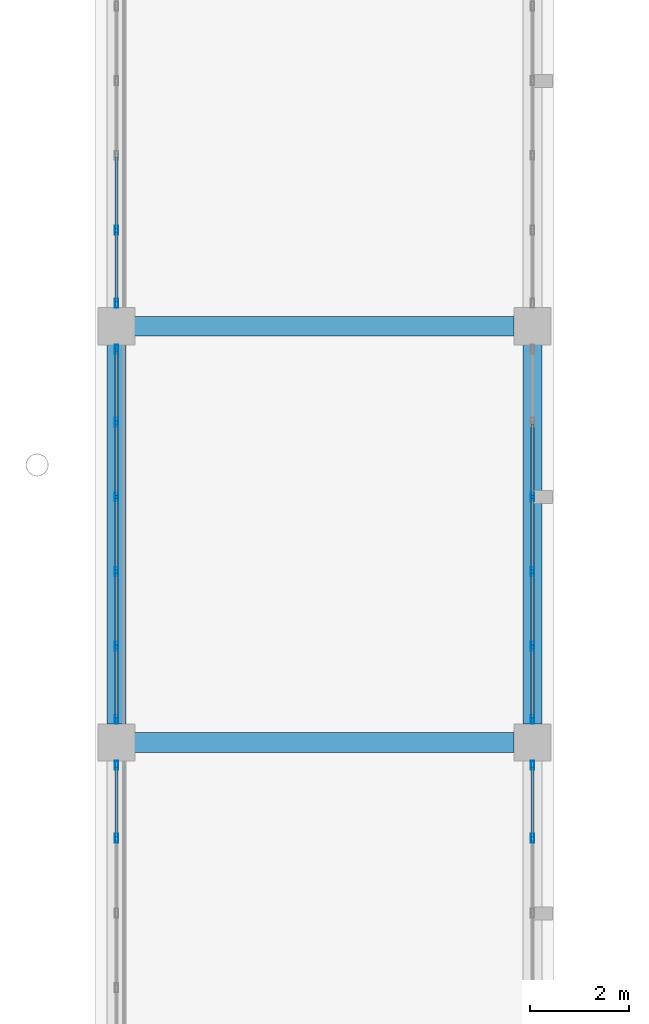
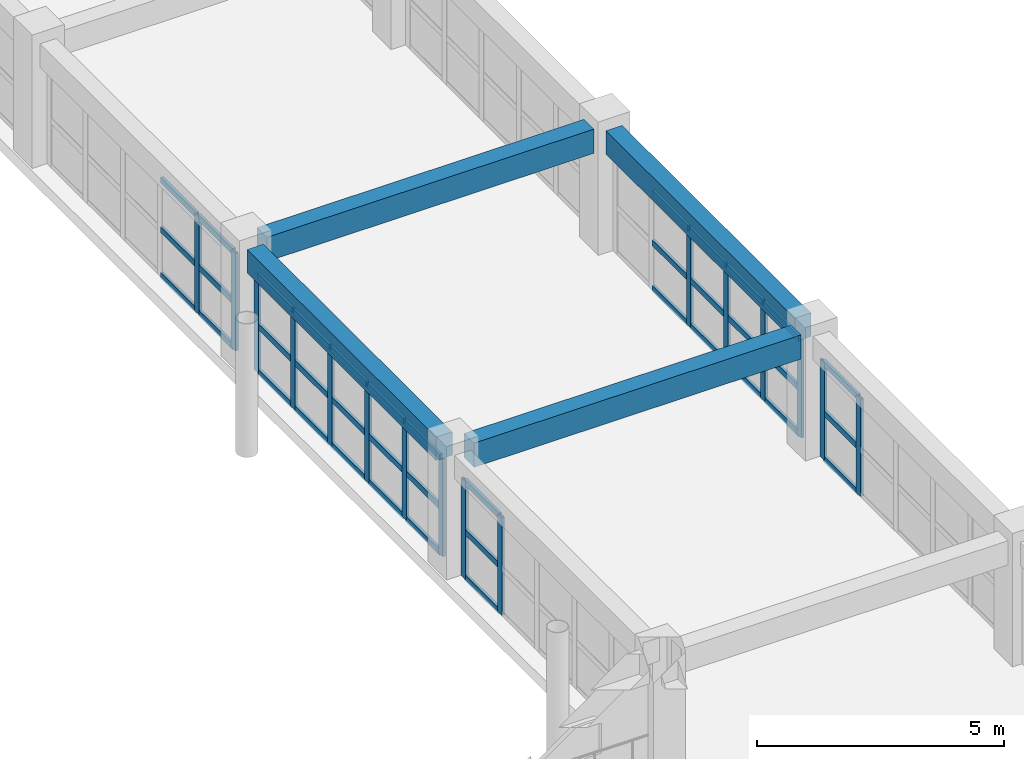
# One storey, part 137 of 200: 55 members, 4 beams, 5 elements without a shape of their own.
"""IFC4 building model written with IfcOpenShell, lengths in metres."""

from ifc_helpers import new_model, si_unit, direction, frame, origin, origin_2d, place, context, subcontext, project, spatial, rectangle, hollow_rectangle, extrude, material, layer, layer_set, material_profile, profile_set, type_object, element, aggregate, save


model = new_model("IFC4")

# Units and contexts
model_context = context("Model", 3, precision=1e-05, world=origin(), true_north=direction((0.0, 1.0)))
body_context = subcontext(model_context, "Body", "Model", "MODEL_VIEW")
ifc_project = project(units=[si_unit("LENGTHUNIT", "METRE"), si_unit("AREAUNIT", "SQUARE_METRE"), si_unit("VOLUMEUNIT", "CUBIC_METRE"), si_unit("PLANEANGLEUNIT", "RADIAN"), si_unit("MASSUNIT", "GRAM", prefix="KILO")], contexts=[model_context])

# Site, building, storey
site_placement = place(None, origin())
site = spatial("IfcSite", under=ifc_project, at=site_placement, CompositionType="ELEMENT")
building_placement = place(site_placement, origin())
building = spatial("IfcBuilding", under=site, at=building_placement, Name="Trelvath General Hospital", CompositionType="ELEMENT")
storey_placement = place(building_placement, frame((0.0, 0.0, 4.800048828125)))
storey = spatial("IfcBuildingStorey", under=building, at=storey_placement, Name="L01", CompositionType="ELEMENT", Elevation=4.800048828125)

# Beams
ifc_material_1 = material(Name="Concrete C35/45", Category="concrete")
ifc_material_profile_1 = material_profile(ifc_material_1, rectangle(XDim=0.3798828125, YDim=0.580078125, at=origin_2d()), Name="RCB380x580")
ifc_profile_set_1 = profile_set([ifc_material_profile_1], Name="Concrete C35/45")
beam_type_1 = type_object("IfcBeamType", Name="Beam RC380x580", PredefinedType="BEAM", material=ifc_profile_set_1)
for number, where, z_axis, x_axis, name in (
    (1, (176.39990234375, 33.969970703125, 2.72998046875), (0.0, 1.0, 0.0), (-1.0, 0.0, 0.0), "Grid Beam BY-121E"),
    (2, (184.800048828125, 33.969970703125, 2.72998046875), (0.0, 1.0, 0.0), (-1.0, 0.0, 0.0), "Grid Beam BY-122E"),
):
    element("IfcBeam", number, at=place(storey_placement, frame(where, z_axis=z_axis, x_axis=x_axis)), inside=storey, type_object=beam_type_1, Name=name, PredefinedType="BEAM", context=body_context, shape_type="SweptSolid", body=[
        extrude(rectangle(XDim=0.3798828125, YDim=0.580078125, at=origin_2d()), origin(), (0.0, 0.0, 1.0), 7.659912109375),
    ])
ifc_material_2 = material(Name="Concrete C35/45", Category="concrete")
ifc_material_profile_2 = material_profile(ifc_material_2, rectangle(XDim=0.39990234375, YDim=0.60009765625, at=origin_2d()), Name="RCB400x600")
ifc_profile_set_2 = profile_set([ifc_material_profile_2], Name="Concrete C35/45")
beam_type_2 = type_object("IfcBeamType", Name="Beam RC400x600", PredefinedType="BEAM", material=ifc_profile_set_2)
for number, where, z_axis, x_axis, name in (
    (3, (176.77001953125, 33.60009765625, 2.719970703125), (1.0, 0.0, 0.0), (0.0, 1.0, 0.0), "Grid Beam BX-121E"),
    (4, (176.77001953125, 42.0, 2.719970703125), (1.0, 0.0, 0.0), (0.0, 1.0, 0.0), "Grid Beam BX-121F"),
):
    element("IfcBeam", number, at=place(storey_placement, frame(where, z_axis=z_axis, x_axis=x_axis)), inside=storey, type_object=beam_type_2, Name=name, PredefinedType="BEAM", context=body_context, shape_type="SweptSolid", body=[
        extrude(rectangle(XDim=0.39990234375, YDim=0.60009765625, at=origin_2d()), origin(), (0.0, 0.0, 1.0), 7.659912109375),
    ])

# Curtain wall, members
ifc_material_3 = material(Name="Anodised aluminium and low-E glass", Category="aluminium")
ifc_layer = layer(ifc_material_3, 0.179931640625)
ifc_layer_set = layer_set([ifc_layer], Name="Anodised aluminium and low-E glass")
curtain_wall_type = type_object("IfcCurtainWallType", Name="CW Facade 754 242 18", PredefinedType="USERDEFINED", material=ifc_layer_set)
curtain_wall_1_placement = place(storey_placement, origin())
curtain_wall_1 = element("IfcCurtainWall", 5, at=curtain_wall_1_placement, inside=storey, type_object=curtain_wall_type, Name="Facade Curtain Wall CW-030", ObjectType="Unitised Glazed Curtain Wall", PredefinedType="USERDEFINED")
ifc_material_4 = material(Name="Anodised aluminium", Category="aluminium")
ifc_material_profile_3 = material_profile(ifc_material_4, hollow_rectangle(XDim=0.06494140625, YDim=0.179931640625, WallThickness=0.0048828125, at=origin_2d()), Name="RHS65x180x5")
ifc_profile_set_3 = profile_set([ifc_material_profile_3], Name="Anodised aluminium")
member_type_1 = type_object("IfcMemberType", Name="CurtainMullion 65x180", PredefinedType="MULLION", material=ifc_profile_set_3)
member_1_placement = place(storey_placement, frame((176.39990234375, 31.662109375, 0.0), z_axis=(0.0, 0.0, 1.0), x_axis=(-1.0, 0.0, 0.0)))
member_1 = element("IfcMember", 6, at=member_1_placement, type_object=member_type_1, Name="CW-030 mullion 5", PredefinedType="MULLION", context=body_context, shape_type="SweptSolid", body=[
    extrude(hollow_rectangle(XDim=0.06494140625, YDim=0.179931640625, WallThickness=0.0048828125, at=origin_2d()), origin(), (0.0, 0.0, 1.0), 2.419921875),
])
member_2_placement = place(storey_placement, frame((176.39990234375, 33.137451171875, 0.0), z_axis=(0.0, 0.0, 1.0), x_axis=(-1.0, 0.0, 0.0)))
member_2 = element("IfcMember", 7, at=member_2_placement, type_object=member_type_1, Name="CW-030 mullion 6", PredefinedType="MULLION", context=body_context, shape_type="SweptSolid", body=[
    extrude(hollow_rectangle(XDim=0.06494140625, YDim=0.179931640625, WallThickness=0.0048828125, at=origin_2d()), origin(), (0.0, 0.0, 1.0), 2.419921875),
])

curtain_wall_2_placement = place(storey_placement, origin())
curtain_wall_2 = element("IfcCurtainWall", 8, at=curtain_wall_2_placement, inside=storey, type_object=curtain_wall_type, Name="Facade Curtain Wall CW-031", ObjectType="Unitised Glazed Curtain Wall", PredefinedType="USERDEFINED")
member_3_placement = place(storey_placement, frame((184.800048828125, 33.137451171875, 0.0), z_axis=(0.0, 0.0, 1.0), x_axis=(1.0, 0.0, 0.0)))
member_3 = element("IfcMember", 9, at=member_3_placement, type_object=member_type_1, Name="CW-031 mullion 1", PredefinedType="MULLION", context=body_context, shape_type="SweptSolid", body=[
    extrude(hollow_rectangle(XDim=0.06494140625, YDim=0.179931640625, WallThickness=0.0048828125, at=origin_2d()), origin(), (0.0, 0.0, 1.0), 2.419921875),
])
member_4_placement = place(storey_placement, frame((184.800048828125, 31.662109375, 0.0), z_axis=(0.0, 0.0, 1.0), x_axis=(1.0, 0.0, 0.0)))
member_4 = element("IfcMember", 10, at=member_4_placement, type_object=member_type_1, Name="CW-031 mullion 2", PredefinedType="MULLION", context=body_context, shape_type="SweptSolid", body=[
    extrude(hollow_rectangle(XDim=0.06494140625, YDim=0.179931640625, WallThickness=0.0048828125, at=origin_2d()), origin(), (0.0, 0.0, 1.0), 2.419921875),
])

curtain_wall_3_placement = place(storey_placement, origin())
curtain_wall_3 = element("IfcCurtainWall", 11, at=curtain_wall_3_placement, inside=storey, type_object=curtain_wall_type, Name="Facade Curtain Wall CW-032", ObjectType="Unitised Glazed Curtain Wall", PredefinedType="USERDEFINED")
member_5_placement = place(storey_placement, frame((176.39990234375, 34.0625, 0.0), z_axis=(0.0, 0.0, 1.0), x_axis=(-1.0, 0.0, 0.0)))
member_5 = element("IfcMember", 12, at=member_5_placement, type_object=member_type_1, Name="CW-032 mullion 1", PredefinedType="MULLION", context=body_context, shape_type="SweptSolid", body=[
    extrude(hollow_rectangle(XDim=0.06494140625, YDim=0.179931640625, WallThickness=0.0048828125, at=origin_2d()), origin(), (0.0, 0.0, 1.0), 2.419921875),
])
member_6_placement = place(storey_placement, frame((176.39990234375, 35.5380859375, 0.0), z_axis=(0.0, 0.0, 1.0), x_axis=(-1.0, 0.0, 0.0)))
member_6 = element("IfcMember", 13, at=member_6_placement, type_object=member_type_1, Name="CW-032 mullion 2", PredefinedType="MULLION", context=body_context, shape_type="SweptSolid", body=[
    extrude(hollow_rectangle(XDim=0.06494140625, YDim=0.179931640625, WallThickness=0.0048828125, at=origin_2d()), origin(), (0.0, 0.0, 1.0), 2.419921875),
])
member_7_placement = place(storey_placement, frame((176.39990234375, 37.0458984375, 0.0), z_axis=(0.0, 0.0, 1.0), x_axis=(-1.0, 0.0, 0.0)))
member_7 = element("IfcMember", 14, at=member_7_placement, type_object=member_type_1, Name="CW-032 mullion 3", PredefinedType="MULLION", context=body_context, shape_type="SweptSolid", body=[
    extrude(hollow_rectangle(XDim=0.06494140625, YDim=0.179931640625, WallThickness=0.0048828125, at=origin_2d()), origin(), (0.0, 0.0, 1.0), 2.419921875),
])
member_8_placement = place(storey_placement, frame((176.39990234375, 38.553955078125, 0.0), z_axis=(0.0, 0.0, 1.0), x_axis=(-1.0, 0.0, 0.0)))
member_8 = element("IfcMember", 15, at=member_8_placement, type_object=member_type_1, Name="CW-032 mullion 4", PredefinedType="MULLION", context=body_context, shape_type="SweptSolid", body=[
    extrude(hollow_rectangle(XDim=0.06494140625, YDim=0.179931640625, WallThickness=0.0048828125, at=origin_2d()), origin(), (0.0, 0.0, 1.0), 2.419921875),
])
member_9_placement = place(storey_placement, frame((176.39990234375, 40.06201171875, 0.0), z_axis=(0.0, 0.0, 1.0), x_axis=(-1.0, 0.0, 0.0)))
member_9 = element("IfcMember", 16, at=member_9_placement, type_object=member_type_1, Name="CW-032 mullion 5", PredefinedType="MULLION", context=body_context, shape_type="SweptSolid", body=[
    extrude(hollow_rectangle(XDim=0.06494140625, YDim=0.179931640625, WallThickness=0.0048828125, at=origin_2d()), origin(), (0.0, 0.0, 1.0), 2.419921875),
])
member_10_placement = place(storey_placement, frame((176.39990234375, 41.53759765625, 0.0), z_axis=(0.0, 0.0, 1.0), x_axis=(-1.0, 0.0, 0.0)))
member_10 = element("IfcMember", 17, at=member_10_placement, type_object=member_type_1, Name="CW-032 mullion 6", PredefinedType="MULLION", context=body_context, shape_type="SweptSolid", body=[
    extrude(hollow_rectangle(XDim=0.06494140625, YDim=0.179931640625, WallThickness=0.0048828125, at=origin_2d()), origin(), (0.0, 0.0, 1.0), 2.419921875),
])

curtain_wall_4_placement = place(storey_placement, origin())
curtain_wall_4 = element("IfcCurtainWall", 18, at=curtain_wall_4_placement, inside=storey, type_object=curtain_wall_type, Name="Facade Curtain Wall CW-033", ObjectType="Unitised Glazed Curtain Wall", PredefinedType="USERDEFINED")
member_11_placement = place(storey_placement, frame((184.800048828125, 38.553955078125, 0.0), z_axis=(0.0, 0.0, 1.0), x_axis=(1.0, 0.0, 0.0)))
member_11 = element("IfcMember", 19, at=member_11_placement, type_object=member_type_1, Name="CW-033 mullion 3", PredefinedType="MULLION", context=body_context, shape_type="SweptSolid", body=[
    extrude(hollow_rectangle(XDim=0.06494140625, YDim=0.179931640625, WallThickness=0.0048828125, at=origin_2d()), origin(), (0.0, 0.0, 1.0), 2.419921875),
])
member_12_placement = place(storey_placement, frame((184.800048828125, 37.0458984375, 0.0), z_axis=(0.0, 0.0, 1.0), x_axis=(1.0, 0.0, 0.0)))
member_12 = element("IfcMember", 20, at=member_12_placement, type_object=member_type_1, Name="CW-033 mullion 4", PredefinedType="MULLION", context=body_context, shape_type="SweptSolid", body=[
    extrude(hollow_rectangle(XDim=0.06494140625, YDim=0.179931640625, WallThickness=0.0048828125, at=origin_2d()), origin(), (0.0, 0.0, 1.0), 2.419921875),
])
member_13_placement = place(storey_placement, frame((184.800048828125, 35.5380859375, 0.0), z_axis=(0.0, 0.0, 1.0), x_axis=(1.0, 0.0, 0.0)))
member_13 = element("IfcMember", 21, at=member_13_placement, type_object=member_type_1, Name="CW-033 mullion 5", PredefinedType="MULLION", context=body_context, shape_type="SweptSolid", body=[
    extrude(hollow_rectangle(XDim=0.06494140625, YDim=0.179931640625, WallThickness=0.0048828125, at=origin_2d()), origin(), (0.0, 0.0, 1.0), 2.419921875),
])
member_14_placement = place(storey_placement, frame((184.800048828125, 34.0625, 0.0), z_axis=(0.0, 0.0, 1.0), x_axis=(1.0, 0.0, 0.0)))
member_14 = element("IfcMember", 22, at=member_14_placement, type_object=member_type_1, Name="CW-033 mullion 6", PredefinedType="MULLION", context=body_context, shape_type="SweptSolid", body=[
    extrude(hollow_rectangle(XDim=0.06494140625, YDim=0.179931640625, WallThickness=0.0048828125, at=origin_2d()), origin(), (0.0, 0.0, 1.0), 2.419921875),
])

curtain_wall_5_placement = place(storey_placement, origin())
curtain_wall_5 = element("IfcCurtainWall", 23, at=curtain_wall_5_placement, inside=storey, type_object=curtain_wall_type, Name="Facade Curtain Wall CW-034", ObjectType="Unitised Glazed Curtain Wall", PredefinedType="USERDEFINED")
member_15_placement = place(storey_placement, frame((176.39990234375, 42.46240234375, 0.0), z_axis=(0.0, 0.0, 1.0), x_axis=(-1.0, 0.0, 0.0)))
member_15 = element("IfcMember", 24, at=member_15_placement, type_object=member_type_1, Name="CW-034 mullion 1", PredefinedType="MULLION", context=body_context, shape_type="SweptSolid", body=[
    extrude(hollow_rectangle(XDim=0.06494140625, YDim=0.179931640625, WallThickness=0.0048828125, at=origin_2d()), origin(), (0.0, 0.0, 1.0), 2.419921875),
])
member_16_placement = place(storey_placement, frame((176.39990234375, 43.93798828125, 0.0), z_axis=(0.0, 0.0, 1.0), x_axis=(-1.0, 0.0, 0.0)))
member_16 = element("IfcMember", 25, at=member_16_placement, type_object=member_type_1, Name="CW-034 mullion 2", PredefinedType="MULLION", context=body_context, shape_type="SweptSolid", body=[
    extrude(hollow_rectangle(XDim=0.06494140625, YDim=0.179931640625, WallThickness=0.0048828125, at=origin_2d()), origin(), (0.0, 0.0, 1.0), 2.419921875),
])

# Member
ifc_material_5 = material(Name="Anodised aluminium", Category="aluminium")
ifc_material_profile_4 = material_profile(ifc_material_5, hollow_rectangle(XDim=0.06494140625, YDim=0.14501953125, WallThickness=0.00390625, at=origin_2d()), Name="RHS65x145x4")
ifc_profile_set_4 = profile_set([ifc_material_profile_4], Name="Anodised aluminium")
member_type_2 = type_object("IfcMemberType", Name="CurtainTransom 65x145", PredefinedType="USERDEFINED", material=ifc_profile_set_4)
member_17_placement = place(storey_placement, frame((176.39990234375, 31.694580078125, 0.032470703125), z_axis=(0.0, 1.0, 0.0), x_axis=(-1.0, 0.0, 0.0)))
member_17 = element("IfcMember", 26, at=member_17_placement, type_object=member_type_2, Name="CW-030 transom 5.1", ObjectType="TRANSOM", PredefinedType="USERDEFINED", context=body_context, shape_type="SweptSolid", body=[
    extrude(hollow_rectangle(XDim=0.06494140625, YDim=0.14501953125, WallThickness=0.00390625, at=origin_2d()), origin(), (0.0, 0.0, 1.0), 1.410400390625),
])

member_18_placement = place(storey_placement, frame((176.39990234375, 31.694580078125, 1.161865234375), z_axis=(0.0, 1.0, 0.0), x_axis=(-1.0, 0.0, 0.0)))
member_18 = element("IfcMember", 27, at=member_18_placement, type_object=member_type_2, Name="CW-030 transom 5.2", ObjectType="TRANSOM", PredefinedType="USERDEFINED", context=body_context, shape_type="SweptSolid", body=[
    extrude(hollow_rectangle(XDim=0.06494140625, YDim=0.14501953125, WallThickness=0.00390625, at=origin_2d()), origin(), (0.0, 0.0, 1.0), 1.410400390625),
])

member_19_placement = place(storey_placement, frame((176.39990234375, 31.694580078125, 2.387451171875), z_axis=(0.0, 1.0, 0.0), x_axis=(-1.0, 0.0, 0.0)))
member_19 = element("IfcMember", 28, at=member_19_placement, type_object=member_type_2, Name="CW-030 transom 5.3", ObjectType="TRANSOM", PredefinedType="USERDEFINED", context=body_context, shape_type="SweptSolid", body=[
    extrude(hollow_rectangle(XDim=0.06494140625, YDim=0.14501953125, WallThickness=0.00390625, at=origin_2d()), origin(), (0.0, 0.0, 1.0), 1.410400390625),
])

aggregate(curtain_wall_1, [member_1, member_2, member_17, member_18, member_19])

member_20_placement = place(storey_placement, frame((184.800048828125, 33.10498046875, 0.032470703125), z_axis=(0.0, -1.0, 0.0), x_axis=(1.0, 0.0, 0.0)))
member_20 = element("IfcMember", 29, at=member_20_placement, type_object=member_type_2, Name="CW-031 transom 1.1", ObjectType="TRANSOM", PredefinedType="USERDEFINED", context=body_context, shape_type="SweptSolid", body=[
    extrude(hollow_rectangle(XDim=0.06494140625, YDim=0.14501953125, WallThickness=0.00390625, at=origin_2d()), origin(), (0.0, 0.0, 1.0), 1.410400390625),
])

member_21_placement = place(storey_placement, frame((184.800048828125, 33.10498046875, 1.161865234375), z_axis=(0.0, -1.0, 0.0), x_axis=(1.0, 0.0, 0.0)))
member_21 = element("IfcMember", 30, at=member_21_placement, type_object=member_type_2, Name="CW-031 transom 1.2", ObjectType="TRANSOM", PredefinedType="USERDEFINED", context=body_context, shape_type="SweptSolid", body=[
    extrude(hollow_rectangle(XDim=0.06494140625, YDim=0.14501953125, WallThickness=0.00390625, at=origin_2d()), origin(), (0.0, 0.0, 1.0), 1.410400390625),
])

member_22_placement = place(storey_placement, frame((184.800048828125, 33.10498046875, 2.387451171875), z_axis=(0.0, -1.0, 0.0), x_axis=(1.0, 0.0, 0.0)))
member_22 = element("IfcMember", 31, at=member_22_placement, type_object=member_type_2, Name="CW-031 transom 1.3", ObjectType="TRANSOM", PredefinedType="USERDEFINED", context=body_context, shape_type="SweptSolid", body=[
    extrude(hollow_rectangle(XDim=0.06494140625, YDim=0.14501953125, WallThickness=0.00390625, at=origin_2d()), origin(), (0.0, 0.0, 1.0), 1.410400390625),
])

aggregate(curtain_wall_2, [member_3, member_4, member_20, member_21, member_22])

member_23_placement = place(storey_placement, frame((176.39990234375, 34.094970703125, 0.032470703125), z_axis=(0.0, 1.0, 0.0), x_axis=(-1.0, 0.0, 0.0)))
member_23 = element("IfcMember", 32, at=member_23_placement, type_object=member_type_2, Name="CW-032 transom 1.1", ObjectType="TRANSOM", PredefinedType="USERDEFINED", context=body_context, shape_type="SweptSolid", body=[
    extrude(hollow_rectangle(XDim=0.06494140625, YDim=0.14501953125, WallThickness=0.00390625, at=origin_2d()), origin(), (0.0, 0.0, 1.0), 1.41064453125),
])

member_24_placement = place(storey_placement, frame((176.39990234375, 34.094970703125, 1.161865234375), z_axis=(0.0, 1.0, 0.0), x_axis=(-1.0, 0.0, 0.0)))
member_24 = element("IfcMember", 33, at=member_24_placement, type_object=member_type_2, Name="CW-032 transom 1.2", ObjectType="TRANSOM", PredefinedType="USERDEFINED", context=body_context, shape_type="SweptSolid", body=[
    extrude(hollow_rectangle(XDim=0.06494140625, YDim=0.14501953125, WallThickness=0.00390625, at=origin_2d()), origin(), (0.0, 0.0, 1.0), 1.41064453125),
])

member_25_placement = place(storey_placement, frame((176.39990234375, 34.094970703125, 2.387451171875), z_axis=(0.0, 1.0, 0.0), x_axis=(-1.0, 0.0, 0.0)))
member_25 = element("IfcMember", 34, at=member_25_placement, type_object=member_type_2, Name="CW-032 transom 1.3", ObjectType="TRANSOM", PredefinedType="USERDEFINED", context=body_context, shape_type="SweptSolid", body=[
    extrude(hollow_rectangle(XDim=0.06494140625, YDim=0.14501953125, WallThickness=0.00390625, at=origin_2d()), origin(), (0.0, 0.0, 1.0), 1.41064453125),
])

member_26_placement = place(storey_placement, frame((176.39990234375, 35.570556640625, 0.032470703125), z_axis=(0.0, 1.0, 0.0), x_axis=(-1.0, 0.0, 0.0)))
member_26 = element("IfcMember", 35, at=member_26_placement, type_object=member_type_2, Name="CW-032 transom 2.1", ObjectType="TRANSOM", PredefinedType="USERDEFINED", context=body_context, shape_type="SweptSolid", body=[
    extrude(hollow_rectangle(XDim=0.06494140625, YDim=0.14501953125, WallThickness=0.00390625, at=origin_2d()), origin(), (0.0, 0.0, 1.0), 1.44287109375),
])

member_27_placement = place(storey_placement, frame((176.39990234375, 35.570556640625, 1.161865234375), z_axis=(0.0, 1.0, 0.0), x_axis=(-1.0, 0.0, 0.0)))
member_27 = element("IfcMember", 36, at=member_27_placement, type_object=member_type_2, Name="CW-032 transom 2.2", ObjectType="TRANSOM", PredefinedType="USERDEFINED", context=body_context, shape_type="SweptSolid", body=[
    extrude(hollow_rectangle(XDim=0.06494140625, YDim=0.14501953125, WallThickness=0.00390625, at=origin_2d()), origin(), (0.0, 0.0, 1.0), 1.44287109375),
])

member_28_placement = place(storey_placement, frame((176.39990234375, 35.570556640625, 2.387451171875), z_axis=(0.0, 1.0, 0.0), x_axis=(-1.0, 0.0, 0.0)))
member_28 = element("IfcMember", 37, at=member_28_placement, type_object=member_type_2, Name="CW-032 transom 2.3", ObjectType="TRANSOM", PredefinedType="USERDEFINED", context=body_context, shape_type="SweptSolid", body=[
    extrude(hollow_rectangle(XDim=0.06494140625, YDim=0.14501953125, WallThickness=0.00390625, at=origin_2d()), origin(), (0.0, 0.0, 1.0), 1.44287109375),
])

member_29_placement = place(storey_placement, frame((176.39990234375, 37.07861328125, 0.032470703125), z_axis=(0.0, 1.0, 0.0), x_axis=(-1.0, 0.0, 0.0)))
member_29 = element("IfcMember", 38, at=member_29_placement, type_object=member_type_2, Name="CW-032 transom 3.1", ObjectType="TRANSOM", PredefinedType="USERDEFINED", context=body_context, shape_type="SweptSolid", body=[
    extrude(hollow_rectangle(XDim=0.06494140625, YDim=0.14501953125, WallThickness=0.00390625, at=origin_2d()), origin(), (0.0, 0.0, 1.0), 1.44287109375),
])

member_30_placement = place(storey_placement, frame((176.39990234375, 37.07861328125, 1.161865234375), z_axis=(0.0, 1.0, 0.0), x_axis=(-1.0, 0.0, 0.0)))
member_30 = element("IfcMember", 39, at=member_30_placement, type_object=member_type_2, Name="CW-032 transom 3.2", ObjectType="TRANSOM", PredefinedType="USERDEFINED", context=body_context, shape_type="SweptSolid", body=[
    extrude(hollow_rectangle(XDim=0.06494140625, YDim=0.14501953125, WallThickness=0.00390625, at=origin_2d()), origin(), (0.0, 0.0, 1.0), 1.44287109375),
])

member_31_placement = place(storey_placement, frame((176.39990234375, 37.07861328125, 2.387451171875), z_axis=(0.0, 1.0, 0.0), x_axis=(-1.0, 0.0, 0.0)))
member_31 = element("IfcMember", 40, at=member_31_placement, type_object=member_type_2, Name="CW-032 transom 3.3", ObjectType="TRANSOM", PredefinedType="USERDEFINED", context=body_context, shape_type="SweptSolid", body=[
    extrude(hollow_rectangle(XDim=0.06494140625, YDim=0.14501953125, WallThickness=0.00390625, at=origin_2d()), origin(), (0.0, 0.0, 1.0), 1.44287109375),
])

member_32_placement = place(storey_placement, frame((176.39990234375, 38.58642578125, 0.032470703125), z_axis=(0.0, 1.0, 0.0), x_axis=(-1.0, 0.0, 0.0)))
member_32 = element("IfcMember", 41, at=member_32_placement, type_object=member_type_2, Name="CW-032 transom 4.1", ObjectType="TRANSOM", PredefinedType="USERDEFINED", context=body_context, shape_type="SweptSolid", body=[
    extrude(hollow_rectangle(XDim=0.06494140625, YDim=0.14501953125, WallThickness=0.00390625, at=origin_2d()), origin(), (0.0, 0.0, 1.0), 1.443115234375),
])

member_33_placement = place(storey_placement, frame((176.39990234375, 38.58642578125, 1.161865234375), z_axis=(0.0, 1.0, 0.0), x_axis=(-1.0, 0.0, 0.0)))
member_33 = element("IfcMember", 42, at=member_33_placement, type_object=member_type_2, Name="CW-032 transom 4.2", ObjectType="TRANSOM", PredefinedType="USERDEFINED", context=body_context, shape_type="SweptSolid", body=[
    extrude(hollow_rectangle(XDim=0.06494140625, YDim=0.14501953125, WallThickness=0.00390625, at=origin_2d()), origin(), (0.0, 0.0, 1.0), 1.443115234375),
])

member_34_placement = place(storey_placement, frame((176.39990234375, 38.58642578125, 2.387451171875), z_axis=(0.0, 1.0, 0.0), x_axis=(-1.0, 0.0, 0.0)))
member_34 = element("IfcMember", 43, at=member_34_placement, type_object=member_type_2, Name="CW-032 transom 4.3", ObjectType="TRANSOM", PredefinedType="USERDEFINED", context=body_context, shape_type="SweptSolid", body=[
    extrude(hollow_rectangle(XDim=0.06494140625, YDim=0.14501953125, WallThickness=0.00390625, at=origin_2d()), origin(), (0.0, 0.0, 1.0), 1.443115234375),
])

member_35_placement = place(storey_placement, frame((176.39990234375, 40.094482421875, 0.032470703125), z_axis=(0.0, 1.0, 0.0), x_axis=(-1.0, 0.0, 0.0)))
member_35 = element("IfcMember", 44, at=member_35_placement, type_object=member_type_2, Name="CW-032 transom 5.1", ObjectType="TRANSOM", PredefinedType="USERDEFINED", context=body_context, shape_type="SweptSolid", body=[
    extrude(hollow_rectangle(XDim=0.06494140625, YDim=0.14501953125, WallThickness=0.00390625, at=origin_2d()), origin(), (0.0, 0.0, 1.0), 1.410400390625),
])

member_36_placement = place(storey_placement, frame((176.39990234375, 40.094482421875, 1.161865234375), z_axis=(0.0, 1.0, 0.0), x_axis=(-1.0, 0.0, 0.0)))
member_36 = element("IfcMember", 45, at=member_36_placement, type_object=member_type_2, Name="CW-032 transom 5.2", ObjectType="TRANSOM", PredefinedType="USERDEFINED", context=body_context, shape_type="SweptSolid", body=[
    extrude(hollow_rectangle(XDim=0.06494140625, YDim=0.14501953125, WallThickness=0.00390625, at=origin_2d()), origin(), (0.0, 0.0, 1.0), 1.410400390625),
])

member_37_placement = place(storey_placement, frame((176.39990234375, 40.094482421875, 2.387451171875), z_axis=(0.0, 1.0, 0.0), x_axis=(-1.0, 0.0, 0.0)))
member_37 = element("IfcMember", 46, at=member_37_placement, type_object=member_type_2, Name="CW-032 transom 5.3", ObjectType="TRANSOM", PredefinedType="USERDEFINED", context=body_context, shape_type="SweptSolid", body=[
    extrude(hollow_rectangle(XDim=0.06494140625, YDim=0.14501953125, WallThickness=0.00390625, at=origin_2d()), origin(), (0.0, 0.0, 1.0), 1.410400390625),
])

aggregate(curtain_wall_3, [member_5, member_6, member_7, member_8, member_9, member_10, member_23, member_24, member_25, member_26, member_27, member_28, member_29, member_30, member_31, member_32, member_33, member_34, member_35, member_36, member_37])

member_38_placement = place(storey_placement, frame((184.800048828125, 40.029541015625, 0.032470703125), z_axis=(0.0, -1.0, 0.0), x_axis=(1.0, 0.0, 0.0)))
member_38 = element("IfcMember", 47, at=member_38_placement, type_object=member_type_2, Name="CW-033 transom 2.1", ObjectType="TRANSOM", PredefinedType="USERDEFINED", context=body_context, shape_type="SweptSolid", body=[
    extrude(hollow_rectangle(XDim=0.06494140625, YDim=0.14501953125, WallThickness=0.00390625, at=origin_2d()), origin(), (0.0, 0.0, 1.0), 1.443115234375),
])

member_39_placement = place(storey_placement, frame((184.800048828125, 40.029541015625, 1.161865234375), z_axis=(0.0, -1.0, 0.0), x_axis=(1.0, 0.0, 0.0)))
member_39 = element("IfcMember", 48, at=member_39_placement, type_object=member_type_2, Name="CW-033 transom 2.2", ObjectType="TRANSOM", PredefinedType="USERDEFINED", context=body_context, shape_type="SweptSolid", body=[
    extrude(hollow_rectangle(XDim=0.06494140625, YDim=0.14501953125, WallThickness=0.00390625, at=origin_2d()), origin(), (0.0, 0.0, 1.0), 1.443115234375),
])

member_40_placement = place(storey_placement, frame((184.800048828125, 40.029541015625, 2.387451171875), z_axis=(0.0, -1.0, 0.0), x_axis=(1.0, 0.0, 0.0)))
member_40 = element("IfcMember", 49, at=member_40_placement, type_object=member_type_2, Name="CW-033 transom 2.3", ObjectType="TRANSOM", PredefinedType="USERDEFINED", context=body_context, shape_type="SweptSolid", body=[
    extrude(hollow_rectangle(XDim=0.06494140625, YDim=0.14501953125, WallThickness=0.00390625, at=origin_2d()), origin(), (0.0, 0.0, 1.0), 1.443115234375),
])

member_41_placement = place(storey_placement, frame((184.800048828125, 38.521484375, 0.032470703125), z_axis=(0.0, -1.0, 0.0), x_axis=(1.0, 0.0, 0.0)))
member_41 = element("IfcMember", 50, at=member_41_placement, type_object=member_type_2, Name="CW-033 transom 3.1", ObjectType="TRANSOM", PredefinedType="USERDEFINED", context=body_context, shape_type="SweptSolid", body=[
    extrude(hollow_rectangle(XDim=0.06494140625, YDim=0.14501953125, WallThickness=0.00390625, at=origin_2d()), origin(), (0.0, 0.0, 1.0), 1.44287109375),
])

member_42_placement = place(storey_placement, frame((184.800048828125, 38.521484375, 1.161865234375), z_axis=(0.0, -1.0, 0.0), x_axis=(1.0, 0.0, 0.0)))
member_42 = element("IfcMember", 51, at=member_42_placement, type_object=member_type_2, Name="CW-033 transom 3.2", ObjectType="TRANSOM", PredefinedType="USERDEFINED", context=body_context, shape_type="SweptSolid", body=[
    extrude(hollow_rectangle(XDim=0.06494140625, YDim=0.14501953125, WallThickness=0.00390625, at=origin_2d()), origin(), (0.0, 0.0, 1.0), 1.44287109375),
])

member_43_placement = place(storey_placement, frame((184.800048828125, 38.521484375, 2.387451171875), z_axis=(0.0, -1.0, 0.0), x_axis=(1.0, 0.0, 0.0)))
member_43 = element("IfcMember", 52, at=member_43_placement, type_object=member_type_2, Name="CW-033 transom 3.3", ObjectType="TRANSOM", PredefinedType="USERDEFINED", context=body_context, shape_type="SweptSolid", body=[
    extrude(hollow_rectangle(XDim=0.06494140625, YDim=0.14501953125, WallThickness=0.00390625, at=origin_2d()), origin(), (0.0, 0.0, 1.0), 1.44287109375),
])

member_44_placement = place(storey_placement, frame((184.800048828125, 37.013427734375, 0.032470703125), z_axis=(0.0, -1.0, 0.0), x_axis=(1.0, 0.0, 0.0)))
member_44 = element("IfcMember", 53, at=member_44_placement, type_object=member_type_2, Name="CW-033 transom 4.1", ObjectType="TRANSOM", PredefinedType="USERDEFINED", context=body_context, shape_type="SweptSolid", body=[
    extrude(hollow_rectangle(XDim=0.06494140625, YDim=0.14501953125, WallThickness=0.00390625, at=origin_2d()), origin(), (0.0, 0.0, 1.0), 1.44287109375),
])

member_45_placement = place(storey_placement, frame((184.800048828125, 37.013427734375, 1.161865234375), z_axis=(0.0, -1.0, 0.0), x_axis=(1.0, 0.0, 0.0)))
member_45 = element("IfcMember", 54, at=member_45_placement, type_object=member_type_2, Name="CW-033 transom 4.2", ObjectType="TRANSOM", PredefinedType="USERDEFINED", context=body_context, shape_type="SweptSolid", body=[
    extrude(hollow_rectangle(XDim=0.06494140625, YDim=0.14501953125, WallThickness=0.00390625, at=origin_2d()), origin(), (0.0, 0.0, 1.0), 1.44287109375),
])

member_46_placement = place(storey_placement, frame((184.800048828125, 37.013427734375, 2.387451171875), z_axis=(0.0, -1.0, 0.0), x_axis=(1.0, 0.0, 0.0)))
member_46 = element("IfcMember", 55, at=member_46_placement, type_object=member_type_2, Name="CW-033 transom 4.3", ObjectType="TRANSOM", PredefinedType="USERDEFINED", context=body_context, shape_type="SweptSolid", body=[
    extrude(hollow_rectangle(XDim=0.06494140625, YDim=0.14501953125, WallThickness=0.00390625, at=origin_2d()), origin(), (0.0, 0.0, 1.0), 1.44287109375),
])

member_47_placement = place(storey_placement, frame((184.800048828125, 35.505615234375, 0.032470703125), z_axis=(0.0, -1.0, 0.0), x_axis=(1.0, 0.0, 0.0)))
member_47 = element("IfcMember", 56, at=member_47_placement, type_object=member_type_2, Name="CW-033 transom 5.1", ObjectType="TRANSOM", PredefinedType="USERDEFINED", context=body_context, shape_type="SweptSolid", body=[
    extrude(hollow_rectangle(XDim=0.06494140625, YDim=0.14501953125, WallThickness=0.00390625, at=origin_2d()), origin(), (0.0, 0.0, 1.0), 1.41064453125),
])

member_48_placement = place(storey_placement, frame((184.800048828125, 35.505615234375, 1.161865234375), z_axis=(0.0, -1.0, 0.0), x_axis=(1.0, 0.0, 0.0)))
member_48 = element("IfcMember", 57, at=member_48_placement, type_object=member_type_2, Name="CW-033 transom 5.2", ObjectType="TRANSOM", PredefinedType="USERDEFINED", context=body_context, shape_type="SweptSolid", body=[
    extrude(hollow_rectangle(XDim=0.06494140625, YDim=0.14501953125, WallThickness=0.00390625, at=origin_2d()), origin(), (0.0, 0.0, 1.0), 1.41064453125),
])

member_49_placement = place(storey_placement, frame((184.800048828125, 35.505615234375, 2.387451171875), z_axis=(0.0, -1.0, 0.0), x_axis=(1.0, 0.0, 0.0)))
member_49 = element("IfcMember", 58, at=member_49_placement, type_object=member_type_2, Name="CW-033 transom 5.3", ObjectType="TRANSOM", PredefinedType="USERDEFINED", context=body_context, shape_type="SweptSolid", body=[
    extrude(hollow_rectangle(XDim=0.06494140625, YDim=0.14501953125, WallThickness=0.00390625, at=origin_2d()), origin(), (0.0, 0.0, 1.0), 1.41064453125),
])

aggregate(curtain_wall_4, [member_11, member_12, member_13, member_14, member_38, member_39, member_40, member_41, member_42, member_43, member_44, member_45, member_46, member_47, member_48, member_49])

member_50_placement = place(storey_placement, frame((176.39990234375, 42.4951171875, 0.032470703125), z_axis=(0.0, 1.0, 0.0), x_axis=(-1.0, 0.0, 0.0)))
member_50 = element("IfcMember", 59, at=member_50_placement, type_object=member_type_2, Name="CW-034 transom 1.1", ObjectType="TRANSOM", PredefinedType="USERDEFINED", context=body_context, shape_type="SweptSolid", body=[
    extrude(hollow_rectangle(XDim=0.06494140625, YDim=0.14501953125, WallThickness=0.00390625, at=origin_2d()), origin(), (0.0, 0.0, 1.0), 1.410400390625),
])

member_51_placement = place(storey_placement, frame((176.39990234375, 42.4951171875, 1.161865234375), z_axis=(0.0, 1.0, 0.0), x_axis=(-1.0, 0.0, 0.0)))
member_51 = element("IfcMember", 60, at=member_51_placement, type_object=member_type_2, Name="CW-034 transom 1.2", ObjectType="TRANSOM", PredefinedType="USERDEFINED", context=body_context, shape_type="SweptSolid", body=[
    extrude(hollow_rectangle(XDim=0.06494140625, YDim=0.14501953125, WallThickness=0.00390625, at=origin_2d()), origin(), (0.0, 0.0, 1.0), 1.410400390625),
])

member_52_placement = place(storey_placement, frame((176.39990234375, 42.4951171875, 2.387451171875), z_axis=(0.0, 1.0, 0.0), x_axis=(-1.0, 0.0, 0.0)))
member_52 = element("IfcMember", 61, at=member_52_placement, type_object=member_type_2, Name="CW-034 transom 1.3", ObjectType="TRANSOM", PredefinedType="USERDEFINED", context=body_context, shape_type="SweptSolid", body=[
    extrude(hollow_rectangle(XDim=0.06494140625, YDim=0.14501953125, WallThickness=0.00390625, at=origin_2d()), origin(), (0.0, 0.0, 1.0), 1.410400390625),
])

member_53_placement = place(storey_placement, frame((176.39990234375, 43.970458984375, 0.032470703125), z_axis=(0.0, 1.0, 0.0), x_axis=(-1.0, 0.0, 0.0)))
member_53 = element("IfcMember", 62, at=member_53_placement, type_object=member_type_2, Name="CW-034 transom 2.1", ObjectType="TRANSOM", PredefinedType="USERDEFINED", context=body_context, shape_type="SweptSolid", body=[
    extrude(hollow_rectangle(XDim=0.06494140625, YDim=0.14501953125, WallThickness=0.00390625, at=origin_2d()), origin(), (0.0, 0.0, 1.0), 1.443115234375),
])

member_54_placement = place(storey_placement, frame((176.39990234375, 43.970458984375, 1.161865234375), z_axis=(0.0, 1.0, 0.0), x_axis=(-1.0, 0.0, 0.0)))
member_54 = element("IfcMember", 63, at=member_54_placement, type_object=member_type_2, Name="CW-034 transom 2.2", ObjectType="TRANSOM", PredefinedType="USERDEFINED", context=body_context, shape_type="SweptSolid", body=[
    extrude(hollow_rectangle(XDim=0.06494140625, YDim=0.14501953125, WallThickness=0.00390625, at=origin_2d()), origin(), (0.0, 0.0, 1.0), 1.443115234375),
])

member_55_placement = place(storey_placement, frame((176.39990234375, 43.970458984375, 2.387451171875), z_axis=(0.0, 1.0, 0.0), x_axis=(-1.0, 0.0, 0.0)))
member_55 = element("IfcMember", 64, at=member_55_placement, type_object=member_type_2, Name="CW-034 transom 2.3", ObjectType="TRANSOM", PredefinedType="USERDEFINED", context=body_context, shape_type="SweptSolid", body=[
    extrude(hollow_rectangle(XDim=0.06494140625, YDim=0.14501953125, WallThickness=0.00390625, at=origin_2d()), origin(), (0.0, 0.0, 1.0), 1.443115234375),
])

aggregate(curtain_wall_5, [member_15, member_16, member_50, member_51, member_52, member_53, member_54, member_55])

save(model, "model.ifc")
